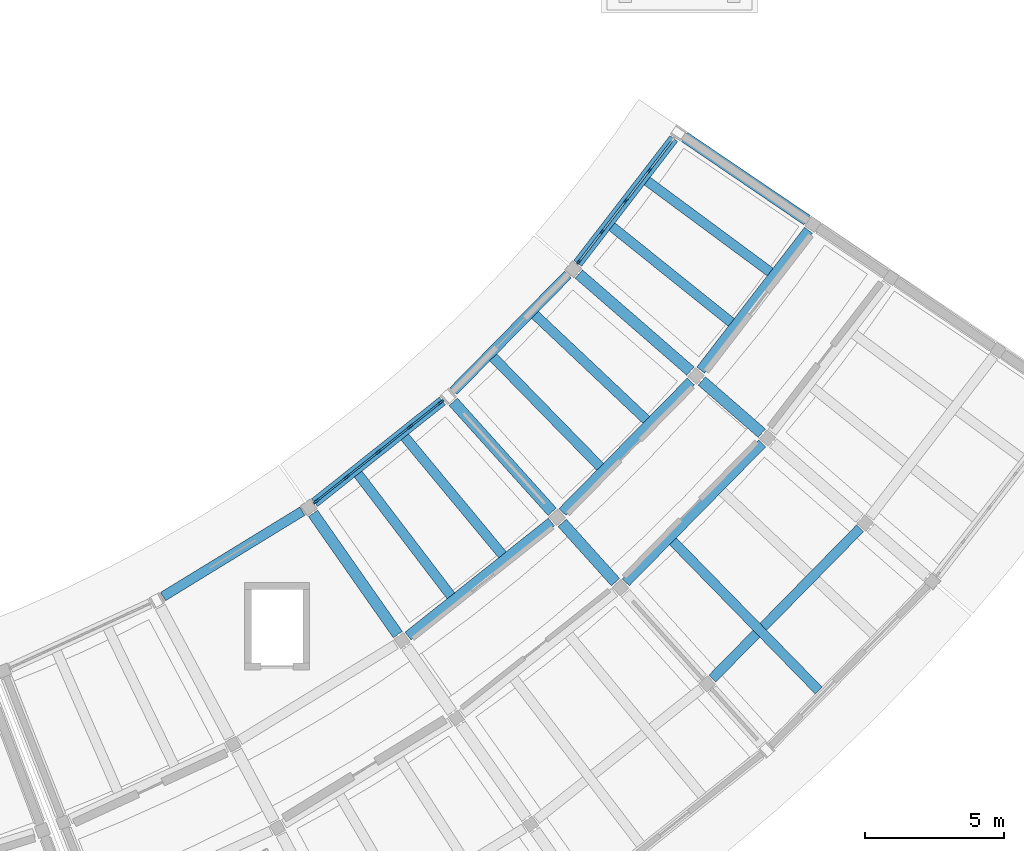
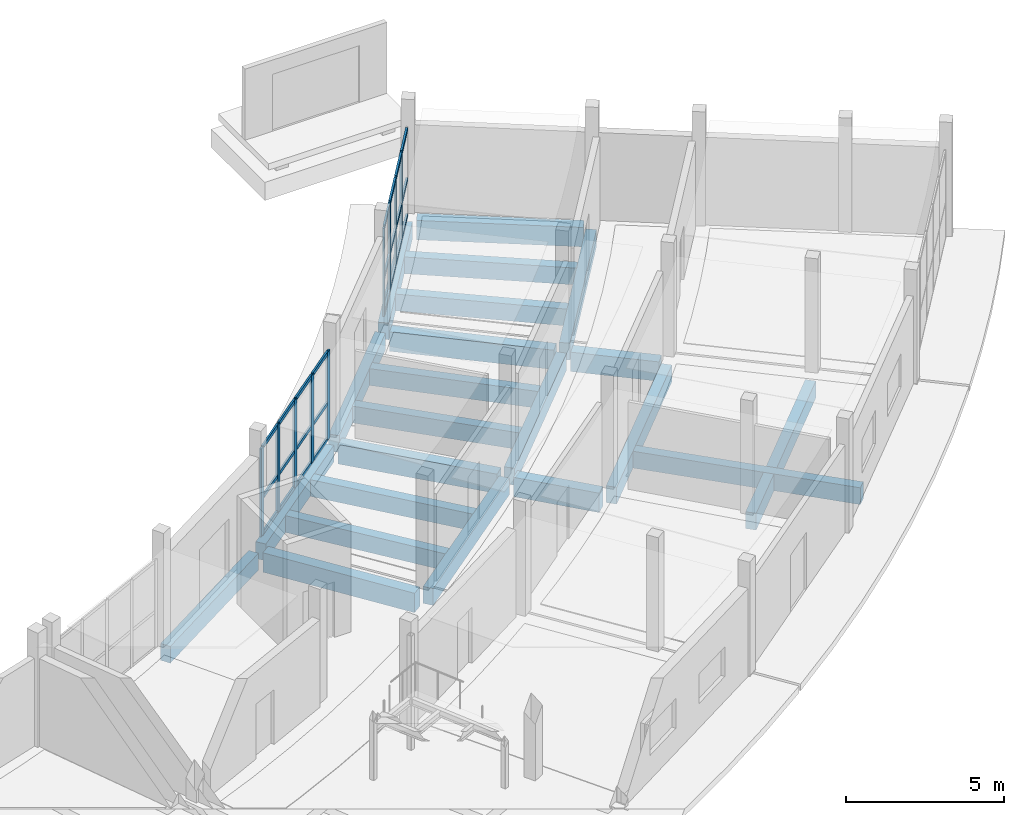
# One storey, part 36 of 92: 33 members, 22 beams, 2 elements without a shape of their own.
"""IFC4 building model written with IfcOpenShell, lengths in metres."""

from ifc_helpers import new_model, si_unit, direction, frame, origin, origin_2d, place, context, subcontext, project, spatial, rectangle, extrude, material, layer, layer_set, material_profile, profile_set, type_object, element, aggregate, save


model = new_model("IFC4")

# Units and contexts
model_context = context("Model", 3, precision=1e-05, world=origin(), true_north=direction((0.0, 1.0)))
body_context = subcontext(model_context, "Body", "Model", "MODEL_VIEW")
ifc_project = project(units=[si_unit("LENGTHUNIT", "METRE"), si_unit("AREAUNIT", "SQUARE_METRE"), si_unit("VOLUMEUNIT", "CUBIC_METRE"), si_unit("PLANEANGLEUNIT", "RADIAN"), si_unit("MASSUNIT", "GRAM", prefix="KILO")], contexts=[model_context])

# Site, building, storey
site_placement = place(None, origin())
site = spatial("IfcSite", under=ifc_project, at=site_placement, CompositionType="ELEMENT")
building_placement = place(site_placement, origin())
building = spatial("IfcBuilding", under=site, at=building_placement, Name="Caldaven Crescent School", CompositionType="ELEMENT")
storey_placement = place(building_placement, origin())
storey = spatial("IfcBuildingStorey", under=building, at=storey_placement, Name="L00", CompositionType="ELEMENT", Elevation=0.0)

# Beams
ifc_material_1 = material(Name="Concrete C30/37", Category="concrete")
ifc_material_profile_1 = material_profile(ifc_material_1, rectangle(XDim=0.35009765625, YDim=0.64990234375, at=origin_2d()), Name="RC 350x650")
ifc_profile_set_1 = profile_set([ifc_material_profile_1], Name="Concrete C30/37")
beam_type_1 = type_object("IfcBeamType", Name="BM-RC35", PredefinedType="BEAM", material=ifc_profile_set_1)
beam_1_placement = place(storey_placement, frame((121.65087890625, 48.41162109375, -0.5849609375), z_axis=(0.782614614956, 0.622506517602, 0.0), x_axis=(-0.622506517602, 0.782614614956, 0.0)))
element("IfcBeam", 1, at=beam_1_placement, inside=storey, type_object=beam_type_1, Name="BMT-V4E-L00-0905", PredefinedType="BEAM", context=body_context, shape_type="SweptSolid", body=[
    extrude(rectangle(XDim=0.35009765625, YDim=0.64990234375, at=origin_2d()), origin(), (0.0, 0.0, 1.0), 6.578125),
])
for number, where, z_axis, x_axis, name in (
    (2, (119.857666015625, 54.229248046875, -0.5849609375), (0.606442992851, -0.795126968743, 0.0), (0.795126968743, 0.606442992851, 0.0), "JSR-V4E-L00-0909"),
    (3, (121.53369140625, 55.562255859375, -0.5849609375), (0.638357678965, -0.769739874052, 0.0), (0.769739874052, 0.638357678965, 0.0), "JSR-V4E-L00-0911"),
):
    element("IfcBeam", number, at=place(storey_placement, frame(where, z_axis=z_axis, x_axis=x_axis)), inside=storey, type_object=beam_type_1, Name=name, PredefinedType="BEAM", context=body_context, shape_type="SweptSolid", body=[
        extrude(rectangle(XDim=0.35009765625, YDim=0.64990234375, at=origin_2d()), origin(), (0.0, 0.0, 1.0), 5.50048828125),
    ])
beam_2_placement = place(storey_placement, frame((127.199462890625, 52.8671875, -0.5849609375), z_axis=(0.700919157533, 0.713240726966, 0.0), x_axis=(-0.713240726966, 0.700919157533, 0.0)))
element("IfcBeam", 4, at=beam_2_placement, inside=storey, type_object=beam_type_1, Name="BMT-V4E-L00-0914", PredefinedType="BEAM", context=body_context, shape_type="SweptSolid", body=[
    extrude(rectangle(XDim=0.35009765625, YDim=0.64990234375, at=origin_2d()), origin(), (0.0, 0.0, 1.0), 6.578369140625),
])
beam_3_placement = place(storey_placement, frame((129.474609375, 50.340576171875, -0.5849609375), z_axis=(0.700900601252, 0.713258962204, 0.0), x_axis=(-0.713258962204, 0.700900601252, 0.0)))
element("IfcBeam", 5, at=beam_3_placement, inside=storey, type_object=beam_type_1, Name="BMT-V4E-L00-0915", PredefinedType="BEAM", context=body_context, shape_type="SweptSolid", body=[
    extrude(rectangle(XDim=0.35009765625, YDim=0.64990234375, at=origin_2d()), origin(), (0.0, 0.0, 1.0), 6.993408203125),
])
beam_4_placement = place(storey_placement, frame((132.586181640625, 46.885009765625, -0.5849609375), z_axis=(0.700912552163, 0.713247218166, 0.0), x_axis=(-0.713247218166, 0.700912552163, 0.0)))
element("IfcBeam", 6, at=beam_4_placement, inside=storey, type_object=beam_type_1, Name="BMT-V4E-L00-0916", PredefinedType="BEAM", context=body_context, shape_type="SweptSolid", body=[
    extrude(rectangle(XDim=0.35009765625, YDim=0.64990234375, at=origin_2d()), origin(), (0.0, 0.0, 1.0), 7.56103515625),
])
beam_5_placement = place(storey_placement, frame((124.7109375, 58.423095703125, -0.5849609375), z_axis=(0.698802911221, -0.715314260496, 0.0), x_axis=(0.715314260496, 0.698802911221, 0.0)))
element("IfcBeam", 7, at=beam_5_placement, inside=storey, type_object=beam_type_1, Name="JSR-V4E-L00-0918", PredefinedType="BEAM", context=body_context, shape_type="SweptSolid", body=[
    extrude(rectangle(XDim=0.35009765625, YDim=0.64990234375, at=origin_2d()), origin(), (0.0, 0.0, 1.0), 5.50048828125),
])
beam_6_placement = place(storey_placement, frame((131.164306640625, 51.8173828125, -0.5849609375), z_axis=(0.698819747585, -0.715297812373, 0.0), x_axis=(0.715297812373, 0.698819747585, 0.0)))
element("IfcBeam", 8, at=beam_6_placement, inside=storey, type_object=beam_type_1, Name="JSR-V4E-L00-0919", PredefinedType="BEAM", context=body_context, shape_type="SweptSolid", body=[
    extrude(rectangle(XDim=0.35009765625, YDim=0.64990234375, at=origin_2d()), origin(), (0.0, 0.0, 1.0), 7.496826171875),
])
beam_7_placement = place(storey_placement, frame((126.2119140625, 59.950439453125, -0.5849609375), z_axis=(0.727402013024, -0.686211564642, 0.0), x_axis=(0.686211564642, 0.727402013024, 0.0)))
element("IfcBeam", 9, at=beam_7_placement, inside=storey, type_object=beam_type_1, Name="JSR-V4E-L00-0920", PredefinedType="BEAM", context=body_context, shape_type="SweptSolid", body=[
    extrude(rectangle(XDim=0.35009765625, YDim=0.64990234375, at=origin_2d()), origin(), (0.0, 0.0, 1.0), 5.500244140625),
])
beam_8_placement = place(storey_placement, frame((132.164306640625, 57.965576171875, -0.5849609375), z_axis=(0.610404689451, 0.792089714045, 0.0), x_axis=(-0.792089714045, 0.610404689451, 0.0)))
element("IfcBeam", 10, at=beam_8_placement, inside=storey, type_object=beam_type_1, Name="BMT-V4E-L00-0923", PredefinedType="BEAM", context=body_context, shape_type="SweptSolid", body=[
    extrude(rectangle(XDim=0.35009765625, YDim=0.64990234375, at=origin_2d()), origin(), (0.0, 0.0, 1.0), 6.33984375),
])
for number, where, z_axis, x_axis, name in (
    (11, (128.976318359375, 63.117431640625, -0.5849609375), (0.779941374057, -0.625852580912, 0.0), (0.625852580912, 0.779941374057, 0.0), "JSR-V4E-L00-0927"),
    (12, (130.23974609375, 64.757080078125, -0.5849609375), (0.803971331064, -0.594668057683, 0.0), (0.594668057683, 0.803971331064, 0.0), "JSR-V4E-L00-0929"),
):
    element("IfcBeam", number, at=place(storey_placement, frame(where, z_axis=z_axis, x_axis=x_axis)), inside=storey, type_object=beam_type_1, Name=name, PredefinedType="BEAM", context=body_context, shape_type="SweptSolid", body=[
        extrude(rectangle(XDim=0.35009765625, YDim=0.64990234375, at=origin_2d()), origin(), (0.0, 0.0, 1.0), 5.5009765625),
    ])
ifc_material_2 = material(Name="Concrete C35/45", Category="concrete")
ifc_material_profile_2 = material_profile(ifc_material_2, rectangle(XDim=0.39990234375, YDim=0.75, at=origin_2d()), Name="RC 400x750")
ifc_profile_set_2 = profile_set([ifc_material_profile_2], Name="Concrete C35/45")
beam_type_2 = type_object("IfcBeamType", Name="BM-RC40", PredefinedType="BEAM", material=ifc_profile_set_2)
for number, where, z_axis, x_axis, name in (
    (13, (118.239013671875, 52.814208984375, -0.635009765625), (0.573579598645, -0.819149830017, 0.0), (0.819149830017, 0.573579598645, 0.0), "BMR-V4E-L00-0872"),
    (14, (123.276611328125, 56.8212890625, -0.635009765625), (0.669124751694, -0.743150096999, 0.0), (0.743150096999, 0.669124751694, 0.0), "BMR-V4E-L00-0876"),
):
    element("IfcBeam", number, at=place(storey_placement, frame(where, z_axis=z_axis, x_axis=x_axis)), inside=storey, type_object=beam_type_2, Name=name, PredefinedType="BEAM", context=body_context, shape_type="SweptSolid", body=[
        extrude(rectangle(XDim=0.39990234375, YDim=0.75, at=origin_2d()), origin(), (0.0, 0.0, 1.0), 5.309814453125),
    ])
beam_9_placement = place(storey_placement, frame((127.19091796875, 52.47412109375, -0.635009765625), z_axis=(0.669134490321, -0.743141328324, 0.0), x_axis=(0.743141328324, 0.669134490321, 0.0)))
element("IfcBeam", 15, at=beam_9_placement, inside=storey, type_object=beam_type_2, Name="BMR-V4E-L00-0877", PredefinedType="BEAM", context=body_context, shape_type="SweptSolid", body=[
    extrude(rectangle(XDim=0.39990234375, YDim=0.75, at=origin_2d()), origin(), (0.0, 0.0, 1.0), 2.860107421875),
])
beam_10_placement = place(storey_placement, frame((127.788330078125, 61.41259765625, -0.635009765625), z_axis=(0.75471736125, -0.656050077836, 0.0), x_axis=(0.656050077836, 0.75471736125, 0.0)))
element("IfcBeam", 16, at=beam_10_placement, inside=storey, type_object=beam_type_2, Name="BMR-V4E-L00-0880", PredefinedType="BEAM", context=body_context, shape_type="SweptSolid", body=[
    extrude(rectangle(XDim=0.39990234375, YDim=0.75, at=origin_2d()), origin(), (0.0, 0.0, 1.0), 5.31005859375),
])
beam_11_placement = place(storey_placement, frame((132.203369140625, 57.57470703125, -0.635009765625), z_axis=(0.754682700818, -0.65608994893, 0.0), x_axis=(0.65608994893, 0.754682700818, 0.0)))
element("IfcBeam", 17, at=beam_11_placement, inside=storey, type_object=beam_type_2, Name="BMR-V4E-L00-0881", PredefinedType="BEAM", context=body_context, shape_type="SweptSolid", body=[
    extrude(rectangle(XDim=0.39990234375, YDim=0.75, at=origin_2d()), origin(), (0.0, 0.0, 1.0), 2.860107421875),
])
beam_12_placement = place(storey_placement, frame((131.585693359375, 66.340576171875, -0.635009765625), z_axis=(0.826714365046, -0.562621861135, 0.0), x_axis=(0.562621861135, 0.826714365046, 0.0)))
element("IfcBeam", 18, at=beam_12_placement, inside=storey, type_object=beam_type_2, Name="BMR-V4E-L00-0884", PredefinedType="BEAM", context=body_context, shape_type="SweptSolid", body=[
    extrude(rectangle(XDim=0.39990234375, YDim=0.75, at=origin_2d()), origin(), (0.0, 0.0, 1.0), 5.31005859375),
])

# Curtain wall, members
ifc_material_3 = material(Name="Anodised aluminium AA 6063-T6 and low-E double glazing", Category="aluminium")
ifc_layer_1 = layer(ifc_material_3, 0.169921875)
ifc_layer_set_1 = layer_set([ifc_layer_1], Name="Anodised aluminium AA 6063-T6 and low-E double glazing")
curtain_wall_type_1 = type_object("IfcCurtainWallType", Name="CW-SYS1", PredefinedType="NOTDEFINED", material=ifc_layer_set_1)
curtain_wall_1_placement = place(storey_placement, origin())
curtain_wall_1 = element("IfcCurtainWall", 19, at=curtain_wall_1_placement, inside=storey, type_object=curtain_wall_type_1, Name="CW-L00-115", PredefinedType="NOTDEFINED")
ifc_material_4 = material(Name="Anodised aluminium AA 6063-T6", Category="aluminium")
ifc_material_profile_3 = material_profile(ifc_material_4, rectangle(XDim=0.06494140625, YDim=0.179931640625, at=origin_2d()), Name="CWM 65x180")
ifc_profile_set_3 = profile_set([ifc_material_profile_3], Name="Anodised aluminium AA 6063-T6")
member_type_1 = type_object("IfcMemberType", Name="CWM-T2", PredefinedType="MULLION", material=ifc_profile_set_3)
member_1_placement = place(storey_placement, frame((127.787353515625, 61.85302734375, 0.0), z_axis=(0.0, 0.0, 1.0), x_axis=(-0.792103400093, 0.610386929383, 0.0)))
member_1 = element("IfcMember", 20, at=member_1_placement, type_object=member_type_1, Name="CW1 mullion 1", PredefinedType="MULLION", context=body_context, shape_type="SweptSolid", body=[
    extrude(rectangle(XDim=0.06494140625, YDim=0.179931640625, at=origin_2d()), origin(), (0.0, 0.0, 1.0), 3.39990234375),
])
member_2_placement = place(storey_placement, frame((128.62060546875, 62.93408203125, 0.0), z_axis=(0.0, 0.0, 1.0), x_axis=(-0.792103400093, 0.610386929383, 0.0)))
member_2 = element("IfcMember", 21, at=member_2_placement, type_object=member_type_1, Name="CW1 mullion 2", PredefinedType="MULLION", context=body_context, shape_type="SweptSolid", body=[
    extrude(rectangle(XDim=0.06494140625, YDim=0.179931640625, at=origin_2d()), origin(), (0.0, 0.0, 1.0), 3.39990234375),
])
member_3_placement = place(storey_placement, frame((129.473388671875, 64.041015625, 0.0), z_axis=(0.0, 0.0, 1.0), x_axis=(-0.792103400093, 0.610386929383, 0.0)))
member_3 = element("IfcMember", 22, at=member_3_placement, type_object=member_type_1, Name="CW1 mullion 3", PredefinedType="MULLION", context=body_context, shape_type="SweptSolid", body=[
    extrude(rectangle(XDim=0.06494140625, YDim=0.179931640625, at=origin_2d()), origin(), (0.0, 0.0, 1.0), 3.39990234375),
])
member_4_placement = place(storey_placement, frame((130.326416015625, 65.14794921875, 0.0), z_axis=(0.0, 0.0, 1.0), x_axis=(-0.792103400093, 0.610386929383, 0.0)))
member_4 = element("IfcMember", 23, at=member_4_placement, type_object=member_type_1, Name="CW1 mullion 4", PredefinedType="MULLION", context=body_context, shape_type="SweptSolid", body=[
    extrude(rectangle(XDim=0.06494140625, YDim=0.179931640625, at=origin_2d()), origin(), (0.0, 0.0, 1.0), 3.39990234375),
])

ifc_layer_2 = layer(ifc_material_3, 0.2099609375)
ifc_layer_set_2 = layer_set([ifc_layer_2], Name="Anodised aluminium AA 6063-T6 and low-E double glazing")
curtain_wall_type_2 = type_object("IfcCurtainWallType", Name="CW-SYS3", PredefinedType="NOTDEFINED", material=ifc_layer_set_2)
curtain_wall_2_placement = place(storey_placement, origin())
curtain_wall_2 = element("IfcCurtainWall", 24, at=curtain_wall_2_placement, inside=storey, type_object=curtain_wall_type_2, Name="CW-L00-114", PredefinedType="NOTDEFINED")
ifc_material_profile_4 = material_profile(ifc_material_4, rectangle(XDim=0.070068359375, YDim=0.2099609375, at=origin_2d()), Name="CWM 70x210")
ifc_profile_set_4 = profile_set([ifc_material_profile_4], Name="Anodised aluminium AA 6063-T6")
member_type_2 = type_object("IfcMemberType", Name="CWM-T3", PredefinedType="MULLION", material=ifc_profile_set_4)
member_5_placement = place(storey_placement, frame((118.34619140625, 53.243896484375, 0.0), z_axis=(0.0, 0.0, 1.0), x_axis=(-0.622514764063, 0.782608055493, 0.0)))
member_5 = element("IfcMember", 25, at=member_5_placement, type_object=member_type_2, Name="CW3 mullion 1", PredefinedType="MULLION", context=body_context, shape_type="SweptSolid", body=[
    extrude(rectangle(XDim=0.070068359375, YDim=0.2099609375, at=origin_2d()), origin(), (0.0, 0.0, 1.0), 3.39990234375),
])
member_6_placement = place(storey_placement, frame((119.454345703125, 54.12548828125, 0.0), z_axis=(0.0, 0.0, 1.0), x_axis=(-0.622514764063, 0.782608055493, 0.0)))
member_6 = element("IfcMember", 26, at=member_6_placement, type_object=member_type_2, Name="CW3 mullion 2", PredefinedType="MULLION", context=body_context, shape_type="SweptSolid", body=[
    extrude(rectangle(XDim=0.070068359375, YDim=0.2099609375, at=origin_2d()), origin(), (0.0, 0.0, 1.0), 3.39990234375),
])
member_7_placement = place(storey_placement, frame((120.590087890625, 55.02880859375, 0.0), z_axis=(0.0, 0.0, 1.0), x_axis=(-0.622514764063, 0.782608055493, 0.0)))
member_7 = element("IfcMember", 27, at=member_7_placement, type_object=member_type_2, Name="CW3 mullion 3", PredefinedType="MULLION", context=body_context, shape_type="SweptSolid", body=[
    extrude(rectangle(XDim=0.070068359375, YDim=0.2099609375, at=origin_2d()), origin(), (0.0, 0.0, 1.0), 3.39990234375),
])
member_8_placement = place(storey_placement, frame((121.7255859375, 55.93212890625, 0.0), z_axis=(0.0, 0.0, 1.0), x_axis=(-0.622514764063, 0.782608055493, 0.0)))
member_8 = element("IfcMember", 28, at=member_8_placement, type_object=member_type_2, Name="CW3 mullion 4", PredefinedType="MULLION", context=body_context, shape_type="SweptSolid", body=[
    extrude(rectangle(XDim=0.070068359375, YDim=0.2099609375, at=origin_2d()), origin(), (0.0, 0.0, 1.0), 3.39990234375),
])
member_9_placement = place(storey_placement, frame((122.833740234375, 56.8134765625, 0.0), z_axis=(0.0, 0.0, 1.0), x_axis=(-0.622514764063, 0.782608055493, 0.0)))
member_9 = element("IfcMember", 29, at=member_9_placement, type_object=member_type_2, Name="CW3 mullion 5", PredefinedType="MULLION", context=body_context, shape_type="SweptSolid", body=[
    extrude(rectangle(XDim=0.070068359375, YDim=0.2099609375, at=origin_2d()), origin(), (0.0, 0.0, 1.0), 3.39990234375),
])
ifc_material_profile_5 = material_profile(ifc_material_4, rectangle(XDim=0.06494140625, YDim=0.139892578125, at=origin_2d()), Name="CWT 65x140")
ifc_profile_set_5 = profile_set([ifc_material_profile_5], Name="Anodised aluminium AA 6063-T6")
member_type_3 = type_object("IfcMemberType", Name="CWT-T2", PredefinedType="USERDEFINED", material=ifc_profile_set_5)
member_10_placement = place(storey_placement, frame((118.37353515625, 53.265869140625, 0.032470703125), z_axis=(0.78263519359, 0.622480645284, 0.0), x_axis=(-0.622480645284, 0.78263519359, 0.0)))
member_10 = element("IfcMember", 30, at=member_10_placement, type_object=member_type_3, Name="CW3 transom 1.1", ObjectType="TRANSOM", PredefinedType="USERDEFINED", context=body_context, shape_type="SweptSolid", body=[
    extrude(rectangle(XDim=0.06494140625, YDim=0.139892578125, at=origin_2d()), origin(), (0.0, 0.0, 1.0), 1.345947265625),
])
member_11_placement = place(storey_placement, frame((118.37353515625, 53.265869140625, 1.427978515625), z_axis=(0.78263519359, 0.622480645284, 0.0), x_axis=(-0.622480645284, 0.78263519359, 0.0)))
member_11 = element("IfcMember", 31, at=member_11_placement, type_object=member_type_3, Name="CW3 transom 1.2", ObjectType="TRANSOM", PredefinedType="USERDEFINED", context=body_context, shape_type="SweptSolid", body=[
    extrude(rectangle(XDim=0.06494140625, YDim=0.139892578125, at=origin_2d()), origin(), (0.0, 0.0, 1.0), 1.345947265625),
])
member_12_placement = place(storey_placement, frame((118.37353515625, 53.265869140625, 3.367431640625), z_axis=(0.78263519359, 0.622480645284, 0.0), x_axis=(-0.622480645284, 0.78263519359, 0.0)))
member_12 = element("IfcMember", 32, at=member_12_placement, type_object=member_type_3, Name="CW3 transom 1.3", ObjectType="TRANSOM", PredefinedType="USERDEFINED", context=body_context, shape_type="SweptSolid", body=[
    extrude(rectangle(XDim=0.06494140625, YDim=0.139892578125, at=origin_2d()), origin(), (0.0, 0.0, 1.0), 1.345947265625),
])
member_13_placement = place(storey_placement, frame((119.48193359375, 54.147216796875, 0.032470703125), z_axis=(0.782487504126, 0.622666287739, 0.0), x_axis=(-0.622666287739, 0.782487504126, 0.0)))
member_13 = element("IfcMember", 33, at=member_13_placement, type_object=member_type_3, Name="CW3 transom 2.1", ObjectType="TRANSOM", PredefinedType="USERDEFINED", context=body_context, shape_type="SweptSolid", body=[
    extrude(rectangle(XDim=0.06494140625, YDim=0.139892578125, at=origin_2d()), origin(), (0.0, 0.0, 1.0), 1.380859375),
])
member_14_placement = place(storey_placement, frame((119.48193359375, 54.147216796875, 1.427978515625), z_axis=(0.782487504126, 0.622666287739, 0.0), x_axis=(-0.622666287739, 0.782487504126, 0.0)))
member_14 = element("IfcMember", 34, at=member_14_placement, type_object=member_type_3, Name="CW3 transom 2.2", ObjectType="TRANSOM", PredefinedType="USERDEFINED", context=body_context, shape_type="SweptSolid", body=[
    extrude(rectangle(XDim=0.06494140625, YDim=0.139892578125, at=origin_2d()), origin(), (0.0, 0.0, 1.0), 1.380859375),
])
member_15_placement = place(storey_placement, frame((119.48193359375, 54.147216796875, 3.367431640625), z_axis=(0.782487504126, 0.622666287739, 0.0), x_axis=(-0.622666287739, 0.782487504126, 0.0)))
member_15 = element("IfcMember", 35, at=member_15_placement, type_object=member_type_3, Name="CW3 transom 2.3", ObjectType="TRANSOM", PredefinedType="USERDEFINED", context=body_context, shape_type="SweptSolid", body=[
    extrude(rectangle(XDim=0.06494140625, YDim=0.139892578125, at=origin_2d()), origin(), (0.0, 0.0, 1.0), 1.380859375),
])
member_16_placement = place(storey_placement, frame((120.617431640625, 55.050537109375, 0.032470703125), z_axis=(0.782642159543, 0.622471887, 0.0), x_axis=(-0.622471887, 0.782642159543, 0.0)))
member_16 = element("IfcMember", 36, at=member_16_placement, type_object=member_type_3, Name="CW3 transom 3.1", ObjectType="TRANSOM", PredefinedType="USERDEFINED", context=body_context, shape_type="SweptSolid", body=[
    extrude(rectangle(XDim=0.06494140625, YDim=0.139892578125, at=origin_2d()), origin(), (0.0, 0.0, 1.0), 1.380859375),
])
member_17_placement = place(storey_placement, frame((120.617431640625, 55.050537109375, 1.427978515625), z_axis=(0.782642159543, 0.622471887, 0.0), x_axis=(-0.622471887, 0.782642159543, 0.0)))
member_17 = element("IfcMember", 37, at=member_17_placement, type_object=member_type_3, Name="CW3 transom 3.2", ObjectType="TRANSOM", PredefinedType="USERDEFINED", context=body_context, shape_type="SweptSolid", body=[
    extrude(rectangle(XDim=0.06494140625, YDim=0.139892578125, at=origin_2d()), origin(), (0.0, 0.0, 1.0), 1.380859375),
])
member_18_placement = place(storey_placement, frame((120.617431640625, 55.050537109375, 3.367431640625), z_axis=(0.782642159543, 0.622471887, 0.0), x_axis=(-0.622471887, 0.782642159543, 0.0)))
member_18 = element("IfcMember", 38, at=member_18_placement, type_object=member_type_3, Name="CW3 transom 3.3", ObjectType="TRANSOM", PredefinedType="USERDEFINED", context=body_context, shape_type="SweptSolid", body=[
    extrude(rectangle(XDim=0.06494140625, YDim=0.139892578125, at=origin_2d()), origin(), (0.0, 0.0, 1.0), 1.380859375),
])
member_19_placement = place(storey_placement, frame((121.7529296875, 55.953857421875, 0.032470703125), z_axis=(0.78263519359, 0.622480645284, 0.0), x_axis=(-0.622480645284, 0.78263519359, 0.0)))
member_19 = element("IfcMember", 39, at=member_19_placement, type_object=member_type_3, Name="CW3 transom 4.1", ObjectType="TRANSOM", PredefinedType="USERDEFINED", context=body_context, shape_type="SweptSolid", body=[
    extrude(rectangle(XDim=0.06494140625, YDim=0.139892578125, at=origin_2d()), origin(), (0.0, 0.0, 1.0), 1.345947265625),
])
member_20_placement = place(storey_placement, frame((121.7529296875, 55.953857421875, 1.427978515625), z_axis=(0.78263519359, 0.622480645284, 0.0), x_axis=(-0.622480645284, 0.78263519359, 0.0)))
member_20 = element("IfcMember", 40, at=member_20_placement, type_object=member_type_3, Name="CW3 transom 4.2", ObjectType="TRANSOM", PredefinedType="USERDEFINED", context=body_context, shape_type="SweptSolid", body=[
    extrude(rectangle(XDim=0.06494140625, YDim=0.139892578125, at=origin_2d()), origin(), (0.0, 0.0, 1.0), 1.345947265625),
])
member_21_placement = place(storey_placement, frame((121.7529296875, 55.953857421875, 3.367431640625), z_axis=(0.78263519359, 0.622480645284, 0.0), x_axis=(-0.622480645284, 0.78263519359, 0.0)))
member_21 = element("IfcMember", 41, at=member_21_placement, type_object=member_type_3, Name="CW3 transom 4.3", ObjectType="TRANSOM", PredefinedType="USERDEFINED", context=body_context, shape_type="SweptSolid", body=[
    extrude(rectangle(XDim=0.06494140625, YDim=0.139892578125, at=origin_2d()), origin(), (0.0, 0.0, 1.0), 1.345947265625),
])
aggregate(curtain_wall_2, [member_5, member_6, member_7, member_8, member_9, member_10, member_11, member_12, member_13, member_14, member_15, member_16, member_17, member_18, member_19, member_20, member_21])

# Member
ifc_material_profile_6 = material_profile(ifc_material_4, rectangle(XDim=0.070068359375, YDim=0.159912109375, at=origin_2d()), Name="CWT 70x160")
ifc_profile_set_6 = profile_set([ifc_material_profile_6], Name="Anodised aluminium AA 6063-T6")
member_type_4 = type_object("IfcMemberType", Name="CWT-T3", PredefinedType="USERDEFINED", material=ifc_profile_set_6)
member_22_placement = place(storey_placement, frame((127.807373046875, 61.87890625, 0.034912109375), z_axis=(0.610436674992, 0.792065064136, 0.0), x_axis=(-0.792065064136, 0.610436674992, 0.0)))
member_22 = element("IfcMember", 42, at=member_22_placement, type_object=member_type_4, Name="CW1 transom 1.1", ObjectType="TRANSOM", PredefinedType="USERDEFINED", context=body_context, shape_type="SweptSolid", body=[
    extrude(rectangle(XDim=0.070068359375, YDim=0.159912109375, at=origin_2d()), origin(), (0.0, 0.0, 1.0), 1.2998046875),
])

member_23_placement = place(storey_placement, frame((127.807373046875, 61.87890625, 1.427978515625), z_axis=(0.610436674992, 0.792065064136, 0.0), x_axis=(-0.792065064136, 0.610436674992, 0.0)))
member_23 = element("IfcMember", 43, at=member_23_placement, type_object=member_type_4, Name="CW1 transom 1.2", ObjectType="TRANSOM", PredefinedType="USERDEFINED", context=body_context, shape_type="SweptSolid", body=[
    extrude(rectangle(XDim=0.070068359375, YDim=0.159912109375, at=origin_2d()), origin(), (0.0, 0.0, 1.0), 1.2998046875),
])

member_24_placement = place(storey_placement, frame((127.807373046875, 61.87890625, 3.364990234375), z_axis=(0.610436674992, 0.792065064136, 0.0), x_axis=(-0.792065064136, 0.610436674992, 0.0)))
member_24 = element("IfcMember", 44, at=member_24_placement, type_object=member_type_4, Name="CW1 transom 1.3", ObjectType="TRANSOM", PredefinedType="USERDEFINED", context=body_context, shape_type="SweptSolid", body=[
    extrude(rectangle(XDim=0.070068359375, YDim=0.159912109375, at=origin_2d()), origin(), (0.0, 0.0, 1.0), 1.2998046875),
])

member_25_placement = place(storey_placement, frame((128.640380859375, 62.9599609375, 0.034912109375), z_axis=(0.610356990638, 0.792126469687, 0.0), x_axis=(-0.792126469687, 0.610356990638, 0.0)))
member_25 = element("IfcMember", 45, at=member_25_placement, type_object=member_type_4, Name="CW1 transom 2.1", ObjectType="TRANSOM", PredefinedType="USERDEFINED", context=body_context, shape_type="SweptSolid", body=[
    extrude(rectangle(XDim=0.070068359375, YDim=0.159912109375, at=origin_2d()), origin(), (0.0, 0.0, 1.0), 1.332275390625),
])

member_26_placement = place(storey_placement, frame((128.640380859375, 62.9599609375, 1.427978515625), z_axis=(0.610356990638, 0.792126469687, 0.0), x_axis=(-0.792126469687, 0.610356990638, 0.0)))
member_26 = element("IfcMember", 46, at=member_26_placement, type_object=member_type_4, Name="CW1 transom 2.2", ObjectType="TRANSOM", PredefinedType="USERDEFINED", context=body_context, shape_type="SweptSolid", body=[
    extrude(rectangle(XDim=0.070068359375, YDim=0.159912109375, at=origin_2d()), origin(), (0.0, 0.0, 1.0), 1.332275390625),
])

member_27_placement = place(storey_placement, frame((128.640380859375, 62.9599609375, 3.364990234375), z_axis=(0.610356990638, 0.792126469687, 0.0), x_axis=(-0.792126469687, 0.610356990638, 0.0)))
member_27 = element("IfcMember", 47, at=member_27_placement, type_object=member_type_4, Name="CW1 transom 2.3", ObjectType="TRANSOM", PredefinedType="USERDEFINED", context=body_context, shape_type="SweptSolid", body=[
    extrude(rectangle(XDim=0.070068359375, YDim=0.159912109375, at=origin_2d()), origin(), (0.0, 0.0, 1.0), 1.332275390625),
])

member_28_placement = place(storey_placement, frame((129.493408203125, 64.06689453125, 0.034912109375), z_axis=(0.610445590299, 0.792058193117, 0.0), x_axis=(-0.792058193117, 0.610445590299, 0.0)))
member_28 = element("IfcMember", 48, at=member_28_placement, type_object=member_type_4, Name="CW1 transom 3.1", ObjectType="TRANSOM", PredefinedType="USERDEFINED", context=body_context, shape_type="SweptSolid", body=[
    extrude(rectangle(XDim=0.070068359375, YDim=0.159912109375, at=origin_2d()), origin(), (0.0, 0.0, 1.0), 1.332275390625),
])

member_29_placement = place(storey_placement, frame((129.493408203125, 64.06689453125, 1.427978515625), z_axis=(0.610445590299, 0.792058193117, 0.0), x_axis=(-0.792058193117, 0.610445590299, 0.0)))
member_29 = element("IfcMember", 49, at=member_29_placement, type_object=member_type_4, Name="CW1 transom 3.2", ObjectType="TRANSOM", PredefinedType="USERDEFINED", context=body_context, shape_type="SweptSolid", body=[
    extrude(rectangle(XDim=0.070068359375, YDim=0.159912109375, at=origin_2d()), origin(), (0.0, 0.0, 1.0), 1.332275390625),
])

member_30_placement = place(storey_placement, frame((129.493408203125, 64.06689453125, 3.364990234375), z_axis=(0.610445590299, 0.792058193117, 0.0), x_axis=(-0.792058193117, 0.610445590299, 0.0)))
member_30 = element("IfcMember", 50, at=member_30_placement, type_object=member_type_4, Name="CW1 transom 3.3", ObjectType="TRANSOM", PredefinedType="USERDEFINED", context=body_context, shape_type="SweptSolid", body=[
    extrude(rectangle(XDim=0.070068359375, YDim=0.159912109375, at=origin_2d()), origin(), (0.0, 0.0, 1.0), 1.332275390625),
])

member_31_placement = place(storey_placement, frame((130.34619140625, 65.173583984375, 0.034912109375), z_axis=(0.61034586925, 0.792135038923, 0.0), x_axis=(-0.792135038923, 0.61034586925, 0.0)))
member_31 = element("IfcMember", 51, at=member_31_placement, type_object=member_type_4, Name="CW1 transom 4.1", ObjectType="TRANSOM", PredefinedType="USERDEFINED", context=body_context, shape_type="SweptSolid", body=[
    extrude(rectangle(XDim=0.070068359375, YDim=0.159912109375, at=origin_2d()), origin(), (0.0, 0.0, 1.0), 1.300048828125),
])

member_32_placement = place(storey_placement, frame((130.34619140625, 65.173583984375, 1.427978515625), z_axis=(0.61034586925, 0.792135038923, 0.0), x_axis=(-0.792135038923, 0.61034586925, 0.0)))
member_32 = element("IfcMember", 52, at=member_32_placement, type_object=member_type_4, Name="CW1 transom 4.2", ObjectType="TRANSOM", PredefinedType="USERDEFINED", context=body_context, shape_type="SweptSolid", body=[
    extrude(rectangle(XDim=0.070068359375, YDim=0.159912109375, at=origin_2d()), origin(), (0.0, 0.0, 1.0), 1.300048828125),
])

member_33_placement = place(storey_placement, frame((130.34619140625, 65.173583984375, 3.364990234375), z_axis=(0.61034586925, 0.792135038923, 0.0), x_axis=(-0.792135038923, 0.61034586925, 0.0)))
member_33 = element("IfcMember", 53, at=member_33_placement, type_object=member_type_4, Name="CW1 transom 4.3", ObjectType="TRANSOM", PredefinedType="USERDEFINED", context=body_context, shape_type="SweptSolid", body=[
    extrude(rectangle(XDim=0.070068359375, YDim=0.159912109375, at=origin_2d()), origin(), (0.0, 0.0, 1.0), 1.300048828125),
])

aggregate(curtain_wall_1, [member_1, member_2, member_3, member_4, member_22, member_23, member_24, member_25, member_26, member_27, member_28, member_29, member_30, member_31, member_32, member_33])

# Beams
ifc_material_profile_7 = material_profile(ifc_material_1, rectangle(XDim=0.35009765625, YDim=0.64990234375, at=origin_2d()), Name="RC 350x650")
ifc_profile_set_7 = profile_set([ifc_material_profile_7], Name="Concrete C30/37")
beam_type_3 = type_object("IfcBeamType", Name="SP-RC35", PredefinedType="SPANDREL", material=ifc_profile_set_7)
beam_13_placement = place(storey_placement, frame((112.85400390625, 49.83056640625, -0.5849609375), z_axis=(0.852650316636, 0.522481997337, 0.0), x_axis=(-0.522481997337, 0.852650316636, 0.0)))
element("IfcBeam", 54, at=beam_13_placement, inside=storey, type_object=beam_type_3, Name="BMT-V4E-L00-0897", PredefinedType="SPANDREL", context=body_context, shape_type="SweptSolid", body=[
    extrude(rectangle(XDim=0.35009765625, YDim=0.64990234375, at=origin_2d()), origin(), (0.0, 0.0, 1.0), 5.86376953125),
])
for number, where, z_axis, x_axis, name in (
    (55, (118.29541015625, 53.20361328125, -0.5849609375), (0.782604281138, 0.622519509048, 0.0), (-0.622519509048, 0.782604281138, 0.0), "BMT-V4E-L00-0904"),
    (56, (123.28515625, 57.214599609375, -0.5849609375), (0.70089720196, 0.713262302582, 0.0), (-0.713262302582, 0.70089720196, 0.0), "BMT-V4E-L00-0913"),
):
    element("IfcBeam", number, at=place(storey_placement, frame(where, z_axis=z_axis, x_axis=x_axis)), inside=storey, type_object=beam_type_3, Name=name, PredefinedType="SPANDREL", context=body_context, shape_type="SweptSolid", body=[
        extrude(rectangle(XDim=0.35009765625, YDim=0.64990234375, at=origin_2d()), origin(), (0.0, 0.0, 1.0), 5.864013671875),
    ])
beam_14_placement = place(storey_placement, frame((127.749267578125, 61.803466796875, -0.5849609375), z_axis=(0.610389260775, 0.79210160354, 0.0), x_axis=(-0.79210160354, 0.610389260775, 0.0)))
element("IfcBeam", 57, at=beam_14_placement, inside=storey, type_object=beam_type_3, Name="BMT-V4E-L00-0922", PredefinedType="SPANDREL", context=body_context, shape_type="SweptSolid", body=[
    extrude(rectangle(XDim=0.35009765625, YDim=0.64990234375, at=origin_2d()), origin(), (0.0, 0.0, 1.0), 5.649658203125),
])

save(model, "model.ifc")
